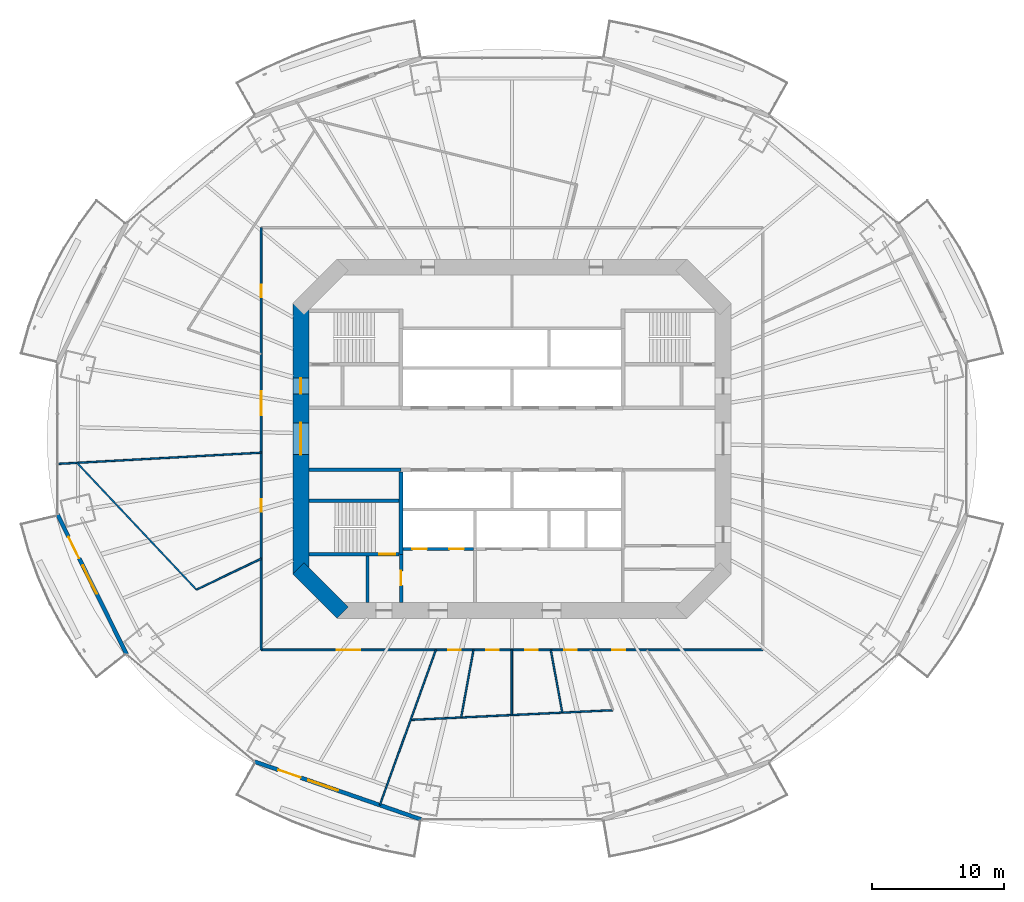
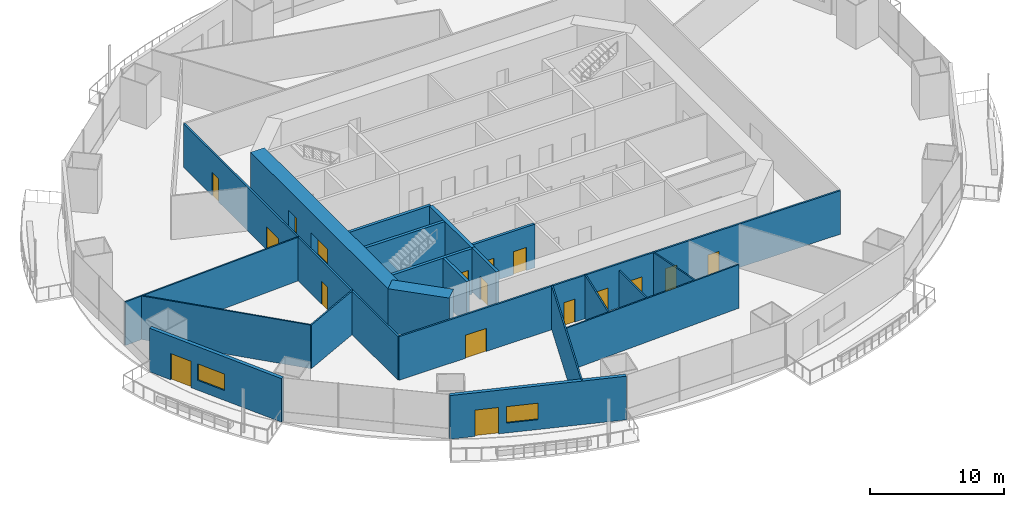
# One storey, part 13 of 22: 21 walls, 17 doors, 2 windows, 19 openings.
"""IFC4 building model written with IfcOpenShell, lengths in metres."""

import ifcopenshell
import ifcopenshell.guid

model = None  # the IFC model being written
_history = None  # IfcOwnerHistory: only IFC2X3 demands one
_inside = {}  # id of a spatial element -> (the spatial element, [elements in it])
_under = {}  # id of a project, library or spatial element -> (it, [spatial elements below it])
_declared = {}  # id of a project -> (the project, [libraries it declares])
_typed = {}  # id of a type object -> (the type object, [elements of that type])
_made_of = {}  # id of a material, layer set ... -> (it, [elements and type objects made of it])


def new_model(schema):
    """Start an empty IFC model of exactly this schema.

    Asked for "IFC4X3", IfcOpenShell would pick the latest addendum, in which some entities
    have other attributes; the version numbers below select the first issue.
    IFC2X3 requires an IfcOwnerHistory on every rooted entity: one is made here for all.
    """
    global model, _history
    if schema == "IFC4X3":
        model = ifcopenshell.file(schema_version=(4, 3, 0, 0))
    else:
        model = ifcopenshell.file(schema=schema)
    _inside.clear()
    _under.clear()
    _declared.clear()
    _typed.clear()
    _made_of.clear()
    _history = None
    if model.schema == "IFC2X3":
        org = make("IfcOrganization", Name="unknown")
        user = make(
            "IfcPersonAndOrganization",
            ThePerson=make("IfcPerson", FamilyName="unknown"),
            TheOrganization=org,
        )
        app = make(
            "IfcApplication",
            ApplicationDeveloper=org,
            Version="unknown",
            ApplicationFullName="unknown",
            ApplicationIdentifier="unknown",
        )
        _history = make(
            "IfcOwnerHistory",
            OwningUser=user,
            OwningApplication=app,
            ChangeAction="ADDED",
            CreationDate=0,
        )
    return model


def make(cls, **values):
    """One entity of the class cls with the attributes given. An attribute that is None is left unset."""
    return model.create_entity(
        cls, **{name: value for name, value in values.items() if value is not None}
    )


def rooted(cls, **values):
    """An entity with a GlobalId (a new one), such as an element, a storey or a relation."""
    return make(cls, GlobalId=ifcopenshell.guid.new(), OwnerHistory=_history, **values)


def si_unit(unit_type, name, prefix=None):
    """IfcSIUnit, for example si_unit("LENGTHUNIT", "METRE", prefix="MILLI")."""
    return make("IfcSIUnit", UnitType=unit_type, Prefix=prefix, Name=name)


def assignment(units):
    """IfcUnitAssignment: the units of a project."""
    return None if units is None else make("IfcUnitAssignment", Units=units)


def point(xyz):
    """IfcCartesianPoint."""
    return None if xyz is None else make("IfcCartesianPoint", Coordinates=xyz)


def direction(xyz):
    """IfcDirection."""
    return None if xyz is None else make("IfcDirection", DirectionRatios=xyz)


def frame(location, z_axis=None, x_axis=None):
    """IfcAxis2Placement3D, a coordinate frame: its origin and axes. An axis left out is left unset."""
    return make(
        "IfcAxis2Placement3D",
        Location=point(location),
        Axis=direction(z_axis),
        RefDirection=direction(x_axis),
    )


def frame_2d(location, x_axis=None):
    """IfcAxis2Placement2D, a coordinate frame in the plane: its origin and x axis."""
    return make(
        "IfcAxis2Placement2D", Location=point(location), RefDirection=direction(x_axis)
    )


def origin():
    """The frame at (0, 0, 0) with its axes left unset."""
    return frame((0.0, 0.0, 0.0))


def place(relative_to, where):
    """IfcLocalPlacement: puts the frame where relative to a parent placement (None: the world)."""
    return make(
        "IfcLocalPlacement", PlacementRelTo=relative_to, RelativePlacement=where
    )


def context(
    kind, dimensions, precision=None, world=None, true_north=None, identifier=None
):
    """IfcGeometricRepresentationContext, for example the 3D "Model" context."""
    return make(
        "IfcGeometricRepresentationContext",
        ContextIdentifier=identifier,
        ContextType=kind,
        CoordinateSpaceDimension=dimensions,
        Precision=precision,
        WorldCoordinateSystem=world,
        TrueNorth=true_north,
    )


def subcontext(parent, identifier, kind, view, scale=None):
    """IfcGeometricRepresentationSubContext, for example "Body" below "Model"."""
    return make(
        "IfcGeometricRepresentationSubContext",
        ContextIdentifier=identifier,
        ContextType=kind,
        ParentContext=parent,
        TargetScale=scale,
        TargetView=view,
    )


def project(units=None, contexts=None):
    """IfcProject with its units and contexts."""
    return rooted(
        "IfcProject",
        Name="project",
        RepresentationContexts=contexts,
        UnitsInContext=assignment(units),
    )


def spatial(cls, under=None, at=None, **own):
    """A site, building, storey or space (cls), placed at a placement, below another one or the project."""
    s = rooted(cls, ObjectPlacement=at, **own)
    if under is not None:
        _under.setdefault(under.id(), (under, []))[1].append(s)
    return s


def profile(cls, at=None, kind="AREA", **sizes):
    """A parametric profile (cls). Its sizes go by their IFC names, for example OverallWidth=200.0."""
    return make(cls, ProfileType=kind, Position=at, **sizes)


def rectangle(**sizes):
    """IfcRectangleProfileDef."""
    return profile("IfcRectangleProfileDef", **sizes)


def extrude(swept, where, along, depth):
    """IfcExtrudedAreaSolid: the profile swept, set in the frame where, extruded along a direction by depth."""
    return make(
        "IfcExtrudedAreaSolid",
        SweptArea=swept,
        Position=where,
        ExtrudedDirection=direction(along),
        Depth=depth,
    )


def shape(context_of_items, identifier, shape_type, items):
    """IfcShapeRepresentation: the items that make up one representation, for example the "Body"."""
    return make(
        "IfcShapeRepresentation",
        ContextOfItems=context_of_items,
        RepresentationIdentifier=identifier,
        RepresentationType=shape_type,
        Items=items,
    )


def material(Name=None, Category=None):
    """IfcMaterial."""
    return make("IfcMaterial", Name=Name, Category=Category)


def layer(
    of_material, thickness, ventilated=None, Name=None, Category=None, Priority=None
):
    """IfcMaterialLayer: one layer of a wall or slab, of a material (None: an air gap)."""
    return make(
        "IfcMaterialLayer",
        Material=of_material,
        LayerThickness=thickness,
        IsVentilated=ventilated,
        Name=Name,
        Category=Category,
        Priority=Priority,
    )


def layer_set(layers, Name=None):
    """IfcMaterialLayerSet."""
    return make("IfcMaterialLayerSet", MaterialLayers=layers, LayerSetName=Name)


def made_of(thing, what):
    """Note that an element or type object is made of a material, layer set ...; save() writes the relation."""
    if what is not None:
        _made_of.setdefault(what.id(), (what, []))[1].append(thing)
    return thing


def type_object(cls, material=None, **own):
    """A type object (cls), such as IfcWallType, which elements share."""
    return made_of(rooted(cls, **own), material)


def element(
    cls,
    number,
    at=None,
    inside=None,
    cuts=None,
    type_object=None,
    material=None,
    context=None,
    identifier="Body",
    shape_type=None,
    held_by="IfcProductDefinitionShape",
    body=None,
    shapes=None,
    **own,
):
    """One element of the class cls, such as IfcWall. Its Tag is "e" and its number.

    at: its placement. inside: the storey or other place that contains it. cuts: it is an
    opening in that element (IfcRelVoidsElement). A single representation is given by context,
    identifier, shape_type and body (its items); several are given by shapes. held_by: the class
    of the entity that holds the representations. save() writes the other relations.
    """
    e = rooted(cls, Tag="e%d" % number, ObjectPlacement=at, **own)
    if body is not None:
        shapes = [shape(context, identifier, shape_type, body)]
    if shapes is not None:
        e.Representation = make(held_by, Representations=shapes)
    if inside is not None:
        _inside.setdefault(inside.id(), (inside, []))[1].append(e)
    if cuts is not None:
        rooted(
            "IfcRelVoidsElement", RelatingBuildingElement=cuts, RelatedOpeningElement=e
        )
    if type_object is not None:
        _typed.setdefault(type_object.id(), (type_object, []))[1].append(e)
    return made_of(e, material)


def fill(opening, filler):
    """IfcRelFillsElement: the door or window that sits in an opening."""
    return rooted(
        "IfcRelFillsElement",
        RelatingOpeningElement=opening,
        RelatedBuildingElement=filler,
    )


def aggregate(whole, parts):
    """IfcRelAggregates: a whole, such as a stair, and the parts it consists of."""
    return rooted("IfcRelAggregates", RelatingObject=whole, RelatedObjects=parts)


def save(model, path):
    """Write the relations noted so far, then the file.

    IfcRelAggregates (storeys below a building ...), IfcRelContainedInSpatialStructure (elements
    in a storey), IfcRelDefinesByType, IfcRelAssociatesMaterial and IfcRelDeclares: one each for
    every whole, place, type object, material and project.
    """
    for whole, parts in _under.values():
        aggregate(whole, parts)
    for where, things in _inside.values():
        rooted(
            "IfcRelContainedInSpatialStructure",
            RelatedElements=things,
            RelatingStructure=where,
        )
    for kind, things in _typed.values():
        rooted("IfcRelDefinesByType", RelatedObjects=things, RelatingType=kind)
    for what, things in _made_of.values():
        rooted("IfcRelAssociatesMaterial", RelatedObjects=things, RelatingMaterial=what)
    for by, libraries in _declared.values():
        rooted("IfcRelDeclares", RelatingContext=by, RelatedDefinitions=libraries)
    model.write(path)


model = new_model("IFC4")

# Units and contexts
model_context = context("Model", 3, precision=1e-05, world=origin(), true_north=direction((0.0, 1.0)))
body_context = subcontext(model_context, "Body", "Model", "MODEL_VIEW")
ifc_project = project(units=[si_unit("LENGTHUNIT", "METRE"), si_unit("AREAUNIT", "SQUARE_METRE"), si_unit("VOLUMEUNIT", "CUBIC_METRE"), si_unit("PLANEANGLEUNIT", "RADIAN"), si_unit("MASSUNIT", "GRAM", prefix="KILO")], contexts=[model_context])

# Site, building, storey
site_placement = place(None, origin())
site = spatial("IfcSite", under=ifc_project, at=site_placement, CompositionType="ELEMENT")
building_placement = place(site_placement, origin())
building = spatial("IfcBuilding", under=site, at=building_placement, Name="Marenthal Gate Tower", CompositionType="ELEMENT")
storey_placement = place(building_placement, frame((0.0, 0.0, 86.949951171875)))
storey = spatial("IfcBuildingStorey", under=building, at=storey_placement, Name="L17", CompositionType="ELEMENT", Elevation=86.949951171875)

# Wall, openings, doors
ifc_material_1 = material(Name="Concrete 60 MPa", Category="concrete")
ifc_layer_1 = layer(ifc_material_1, 1.199951171875)
ifc_layer_set_1 = layer_set([ifc_layer_1], Name="Core shear wall 1200")
wall_type_1 = type_object("IfcWallType", Name="Core shear wall 1200", PredefinedType="SHEAR", material=ifc_layer_set_1)
wall_1_placement = place(storey_placement, frame((-16.0, 10.24853515625, -0.179931640625), z_axis=(0.0, 0.0, 1.0), x_axis=(0.0, -1.0, 0.0)))
wall_1 = element("IfcWall", 1, at=wall_1_placement, inside=storey, type_object=wall_type_1, Name="Core wall 06", PredefinedType="SHEAR", context=body_context, shape_type="SweptSolid", body=[
    extrude(rectangle(XDim=20.4970703125, YDim=1.199951171875, at=frame_2d((10.24853515625, 0.0))), origin(), (0.0, 0.0, 1.0), 4.14990234375),
])
opening_1_placement = place(wall_1_placement, frame((9.048583984375, 0.0, 0.179931640625)))
opening_1 = element("IfcOpeningElement", 2, at=opening_1_placement, cuts=wall_1, Name="Opening D003.01", PredefinedType="OPENING", context=body_context, shape_type="SweptSolid", body=[
    extrude(rectangle(XDim=2.39990234375, YDim=2.10009765625, at=frame_2d((1.199951171875, 1.050048828125))), frame((0.0, 0.60986328125, 0.0), z_axis=(0.0, -1.0, 0.0), x_axis=(1.0, 0.0, 0.0)), (0.0, 0.0, 1.0), 1.219970703125),
])
opening_2_placement = place(wall_1_placement, frame((5.6484375, 0.0, 0.179931640625)))
opening_2 = element("IfcOpeningElement", 3, at=opening_2_placement, cuts=wall_1, Name="Opening D001.04", PredefinedType="OPENING", context=body_context, shape_type="SweptSolid", body=[
    extrude(rectangle(XDim=1.199951171875, YDim=2.10009765625, at=frame_2d((0.60009765625, 1.050048828125))), frame((0.0, 0.60986328125, 0.0), z_axis=(0.0, -1.0, 0.0), x_axis=(1.0, 0.0, 0.0)), (0.0, 0.0, 1.0), 1.219970703125),
])
ifc_material_2 = material(Name="Steel fire door", Category="steel")
door_type_1 = type_object("IfcDoorType", Name="Double fire door FD 45 2400 x 2100", OperationType="DOUBLE_DOOR_SINGLE_SWING", PredefinedType="DOOR", material=ifc_material_2)
door_1_placement = place(opening_1_placement, origin())
door_1 = element("IfcDoor", 4, at=door_1_placement, inside=storey, type_object=door_type_1, Name="Door D003.01", OperationType="DOUBLE_DOOR_SINGLE_SWING", OverallHeight=2.10009765625, OverallWidth=2.39990234375, PredefinedType="DOOR", context=body_context, shape_type="SweptSolid", body=[
    extrude(rectangle(XDim=2.39990234375, YDim=2.10009765625, at=frame_2d((1.199951171875, 1.050048828125))), frame((0.0, 0.02490234375, 0.0), z_axis=(0.0, -1.0, 0.0), x_axis=(1.0, 0.0, 0.0)), (0.0, 0.0, 1.0), 0.050048828125),
])
fill(opening_1, door_1)
ifc_material_3 = material(Name="Steel fire door", Category="steel")
door_type_2 = type_object("IfcDoorType", Name="Fire door FD 90 1200 x 2100", OperationType="NOTDEFINED", PredefinedType="DOOR", material=ifc_material_3)
door_2_placement = place(opening_2_placement, origin())
door_2 = element("IfcDoor", 5, at=door_2_placement, inside=storey, type_object=door_type_2, Name="Door D001.04", OperationType="SINGLE_SWING_RIGHT", OverallHeight=2.10009765625, OverallWidth=1.199951171875, PredefinedType="DOOR", context=body_context, shape_type="SweptSolid", body=[
    extrude(rectangle(XDim=1.199951171875, YDim=2.10009765625, at=frame_2d((0.60009765625, 1.050048828125))), frame((0.0, 0.02490234375, 0.0), z_axis=(0.0, -1.0, 0.0), x_axis=(1.0, 0.0, 0.0)), (0.0, 0.0, 1.0), 0.050048828125),
])
fill(opening_2, door_2)

# Walls
wall_2_placement = place(storey_placement, frame((-16.17578125, -9.82421875, -0.179931640625), z_axis=(0.0, 0.0, 1.0), x_axis=(0.707106781187, -0.707106781187, 0.0)))
element("IfcWall", 6, at=wall_2_placement, inside=storey, type_object=wall_type_1, Name="Core wall 07", PredefinedType="SHEAR", context=body_context, shape_type="SweptSolid", body=[
    extrude(rectangle(XDim=4.73974609375, YDim=1.199951171875, at=frame_2d((2.369873046875, 0.0))), origin(), (0.0, 0.0, 1.0), 4.14990234375),
])
ifc_material_4 = material(Name="Concrete 50 MPa", Category="concrete")
ifc_layer_2 = layer(ifc_material_4, 0.300048828125)
ifc_layer_set_2 = layer_set([ifc_layer_2], Name="Hoistway shear wall 300")
wall_type_2 = type_object("IfcWallType", Name="Hoistway shear wall 300", PredefinedType="SHEAR", material=ifc_layer_set_2)
wall_3_placement = place(storey_placement, frame((-8.39990234375, -8.75, -0.179931640625), z_axis=(0.0, 0.0, 1.0), x_axis=(0.0, 1.0, 0.0)))
element("IfcWall", 7, at=wall_3_placement, inside=storey, type_object=wall_type_2, Name="Hoistway wall 31", PredefinedType="SHEAR", context=body_context, shape_type="SweptSolid", body=[
    extrude(rectangle(XDim=6.25, YDim=0.300048828125, at=frame_2d((3.125, 0.0))), origin(), (0.0, 0.0, 1.0), 4.14990234375),
])

# Wall, openings, doors
ifc_material_5 = material(Name="Concrete 40 MPa", Category="concrete")
ifc_layer_3 = layer(ifc_material_5, 0.219970703125)
ifc_layer_set_3 = layer_set([ifc_layer_3], Name="Hoistway wall 220")
wall_type_3 = type_object("IfcWallType", Name="Hoistway wall 220", PredefinedType="STANDARD", material=ifc_layer_set_3)
wall_4_placement = place(storey_placement, frame((-8.25, -8.35009765625, 0.0), z_axis=(0.0, 0.0, 1.0), x_axis=(1.0, 0.0, 0.0)))
wall_4 = element("IfcWall", 8, at=wall_4_placement, inside=storey, type_object=wall_type_3, Name="Hoistway wall 11", PredefinedType="STANDARD", context=body_context, shape_type="SweptSolid", body=[
    extrude(rectangle(XDim=5.340087890625, YDim=0.219970703125, at=frame_2d((2.669921875, 0.0))), origin(), (0.0, 0.0, 1.0), 3.969970703125),
])
opening_3_placement = place(wall_4_placement, frame((0.699951171875, 0.0, 0.0)))
opening_3 = element("IfcOpeningElement", 9, at=opening_3_placement, cuts=wall_4, Name="Opening LD-LF1", PredefinedType="OPENING", context=body_context, shape_type="SweptSolid", body=[
    extrude(rectangle(XDim=1.10009765625, YDim=2.10009765625, at=frame_2d((0.550048828125, 1.050048828125))), frame((0.0, 0.1201171875, 0.0), z_axis=(0.0, -1.0, 0.0), x_axis=(1.0, 0.0, 0.0)), (0.0, 0.0, 1.0), 0.239990234375),
])
opening_4_placement = place(wall_4_placement, frame((3.5, 0.0, 0.0)))
opening_4 = element("IfcOpeningElement", 10, at=opening_4_placement, cuts=wall_4, Name="Opening LD-LF2", PredefinedType="OPENING", context=body_context, shape_type="SweptSolid", body=[
    extrude(rectangle(XDim=1.10009765625, YDim=2.10009765625, at=frame_2d((0.550048828125, 1.050048828125))), frame((0.0, 0.1201171875, 0.0), z_axis=(0.0, -1.0, 0.0), x_axis=(1.0, 0.0, 0.0)), (0.0, 0.0, 1.0), 0.239990234375),
])
ifc_material_6 = material(Name="Stainless steel sliding door", Category="steel")
door_type_3 = type_object("IfcDoorType", Name="Lift landing door FD 90 1100 x 2100", OperationType="DOUBLE_DOOR_SLIDING", PredefinedType="DOOR", material=ifc_material_6)
door_3_placement = place(opening_3_placement, origin())
door_3 = element("IfcDoor", 11, at=door_3_placement, inside=storey, type_object=door_type_3, Name="Lift landing door LF1", OperationType="DOUBLE_DOOR_SLIDING", OverallHeight=2.10009765625, OverallWidth=1.10009765625, PredefinedType="DOOR", context=body_context, shape_type="SweptSolid", body=[
    extrude(rectangle(XDim=1.10009765625, YDim=2.10009765625, at=frame_2d((0.550048828125, 1.050048828125))), frame((0.0, 0.02490234375, 0.0), z_axis=(0.0, -1.0, 0.0), x_axis=(1.0, 0.0, 0.0)), (0.0, 0.0, 1.0), 0.050048828125),
])
fill(opening_3, door_3)
door_4_placement = place(opening_4_placement, origin())
door_4 = element("IfcDoor", 12, at=door_4_placement, inside=storey, type_object=door_type_3, Name="Lift landing door LF2", OperationType="DOUBLE_DOOR_SLIDING", OverallHeight=2.10009765625, OverallWidth=1.10009765625, PredefinedType="DOOR", context=body_context, shape_type="SweptSolid", body=[
    extrude(rectangle(XDim=1.10009765625, YDim=2.10009765625, at=frame_2d((0.550048828125, 1.050048828125))), frame((0.0, 0.02490234375, 0.0), z_axis=(0.0, -1.0, 0.0), x_axis=(1.0, 0.0, 0.0)), (0.0, 0.0, 1.0), 0.050048828125),
])
fill(opening_4, door_4)

# Walls
ifc_material_7 = material(Name="Gypsum board on steel studs", Category="steel")
ifc_layer_4 = layer(ifc_material_7, 0.1201171875)
ifc_layer_set_4 = layer_set([ifc_layer_4], Name="Partition 120")
wall_type_4 = type_object("IfcWallType", Name="Partition 120", PredefinedType="PARTITIONING", material=ifc_layer_set_4)
wall_5_placement = place(storey_placement, frame((-32.956787109375, -1.8212890625, 0.0), z_axis=(0.0, 0.0, 1.0), x_axis=(0.685404519596, -0.728162512436, 0.0)))
element("IfcWall", 13, at=wall_5_placement, inside=storey, type_object=wall_type_4, Name="Partition wall 47", PredefinedType="PARTITIONING", context=body_context, shape_type="SweptSolid", body=[
    extrude(rectangle(XDim=13.1953125, YDim=0.1201171875, at=frame_2d((6.59765625, 0.0))), origin(), (0.0, 0.0, 1.0), 3.969970703125),
])
wall_6_placement = place(storey_placement, frame((-23.91259765625, -11.4296875, 0.0), z_axis=(0.0, 0.0, 1.0), x_axis=(0.902248770513, 0.431215904285, 0.0)))
element("IfcWall", 14, at=wall_6_placement, inside=storey, type_object=wall_type_4, Name="Partition wall 49", PredefinedType="PARTITIONING", context=body_context, shape_type="SweptSolid", body=[
    extrude(rectangle(XDim=5.44482421875, YDim=0.1201171875, at=frame_2d((2.722412109375, 0.0))), origin(), (0.0, 0.0, 1.0), 3.969970703125),
])
wall_7_placement = place(storey_placement, frame((-19.0, -1.050048828125, 0.0), z_axis=(0.0, 0.0, 1.0), x_axis=(-0.998476588054, -0.055177016127, 0.0)))
element("IfcWall", 15, at=wall_7_placement, inside=storey, type_object=wall_type_4, Name="Partition wall 51", PredefinedType="PARTITIONING", context=body_context, shape_type="SweptSolid", body=[
    extrude(rectangle(XDim=15.459716796875, YDim=0.1201171875, at=frame_2d((7.72998046875, 0.0))), origin(), (0.0, 0.0, 1.0), 3.969970703125),
])
wall_8_placement = place(storey_placement, frame((-7.68408203125, -21.299072265625, 0.0), z_axis=(0.0, 0.0, 1.0), x_axis=(0.998854128079, 0.04785844564, 0.0)))
element("IfcWall", 16, at=wall_8_placement, inside=storey, type_object=wall_type_4, Name="Partition wall 55", PredefinedType="PARTITIONING", context=body_context, shape_type="SweptSolid", body=[
    extrude(rectangle(XDim=15.3447265625, YDim=0.1201171875, at=frame_2d((7.67236328125, 0.0))), origin(), (0.0, 0.0, 1.0), 3.969970703125),
])
wall_9_placement = place(storey_placement, frame((-5.7724609375, -16.0, 0.0), z_axis=(0.0, 0.0, 1.0), x_axis=(-0.339354475961, -0.940658566987, 0.0)))
element("IfcWall", 17, at=wall_9_placement, inside=storey, type_object=wall_type_4, Name="Partition wall 56", PredefinedType="PARTITIONING", context=body_context, shape_type="SweptSolid", body=[
    extrude(rectangle(XDim=12.496337890625, YDim=0.1201171875, at=frame_2d((6.248046875, 0.0))), origin(), (0.0, 0.0, 1.0), 3.969970703125),
])
wall_10_placement = place(storey_placement, frame((-3.852294921875, -21.115478515625, 0.0), z_axis=(0.0, 0.0, 1.0), x_axis=(0.179447320467, 0.983767583923, 0.0)))
element("IfcWall", 18, at=wall_10_placement, inside=storey, type_object=wall_type_4, Name="Partition wall 57", PredefinedType="PARTITIONING", context=body_context, shape_type="SweptSolid", body=[
    extrude(rectangle(XDim=5.199951171875, YDim=0.1201171875, at=frame_2d((2.60009765625, 0.0))), origin(), (0.0, 0.0, 1.0), 3.969970703125),
])
wall_11_placement = place(storey_placement, frame((-0.0205078125, -20.931884765625, 0.0), z_axis=(0.0, 0.0, 1.0), x_axis=(0.000940547082, 0.999999557685, 0.0)))
element("IfcWall", 19, at=wall_11_placement, inside=storey, type_object=wall_type_4, Name="Partition wall 58", PredefinedType="PARTITIONING", context=body_context, shape_type="SweptSolid", body=[
    extrude(rectangle(XDim=4.931884765625, YDim=0.1201171875, at=frame_2d((2.4658203125, 0.0))), origin(), (0.0, 0.0, 1.0), 3.358154296875),
])
wall_12_placement = place(storey_placement, frame((3.811279296875, -20.748291015625, 0.0), z_axis=(0.0, 0.0, 1.0), x_axis=(-0.180687461344, 0.983540564142, 0.0)))
element("IfcWall", 20, at=wall_12_placement, inside=storey, type_object=wall_type_4, Name="Partition wall 59", PredefinedType="PARTITIONING", context=body_context, shape_type="SweptSolid", body=[
    extrude(rectangle(XDim=4.82763671875, YDim=0.1201171875, at=frame_2d((2.413818359375, 0.0))), origin(), (0.0, 0.0, 1.0), 3.969970703125),
])

# Wall, openings, doors
ifc_material_8 = material(Name="Gypsum board on steel studs", Category="steel")
ifc_layer_5 = layer(ifc_material_8, 0.14990234375)
ifc_layer_set_5 = layer_set([ifc_layer_5], Name="Partition 150")
wall_type_5 = type_object("IfcWallType", Name="Partition 150", PredefinedType="PARTITIONING", material=ifc_layer_set_5)
wall_13_placement = place(storey_placement, frame((-19.0, -16.0, 0.0), z_axis=(0.0, 0.0, 1.0), x_axis=(0.0, 1.0, 0.0)))
wall_13 = element("IfcWall", 21, at=wall_13_placement, inside=storey, type_object=wall_type_5, Name="Partition wall 50", PredefinedType="PARTITIONING", context=body_context, shape_type="SweptSolid", body=[
    extrude(rectangle(XDim=32.0, YDim=0.14990234375, at=frame_2d((16.0, 0.0))), origin(), (0.0, 0.0, 1.0), 3.969970703125),
])
opening_5_placement = place(wall_13_placement, frame((26.735107421875, 0.0, 0.0)))
opening_5 = element("IfcOpeningElement", 22, at=opening_5_placement, cuts=wall_13, Name="Opening D016.02", PredefinedType="OPENING", context=body_context, shape_type="SweptSolid", body=[
    extrude(rectangle(XDim=0.949951171875, YDim=2.10009765625, at=frame_2d((0.47509765625, 1.050048828125))), frame((0.0, 0.0849609375, 0.0), z_axis=(0.0, -1.0, 0.0), x_axis=(1.0, 0.0, 0.0)), (0.0, 0.0, 1.0), 0.169921875),
])
opening_6_placement = place(wall_13_placement, frame((17.784912109375, 0.0, 0.0)))
opening_6 = element("IfcOpeningElement", 23, at=opening_6_placement, cuts=wall_13, Name="Opening D014.02", PredefinedType="OPENING", context=body_context, shape_type="SweptSolid", body=[
    extrude(rectangle(XDim=1.800048828125, YDim=2.10009765625, at=frame_2d((0.89990234375, 1.050048828125))), frame((0.0, 0.0849609375, 0.0), z_axis=(0.0, -1.0, 0.0), x_axis=(1.0, 0.0, 0.0)), (0.0, 0.0, 1.0), 0.169921875),
])
opening_7_placement = place(wall_13_placement, frame((10.458984375, 0.0, 0.0)))
opening_7 = element("IfcOpeningElement", 24, at=opening_7_placement, cuts=wall_13, Name="Opening D016.03", PredefinedType="OPENING", context=body_context, shape_type="SweptSolid", body=[
    extrude(rectangle(XDim=0.949951171875, YDim=2.10009765625, at=frame_2d((0.47509765625, 1.050048828125))), frame((0.0, 0.0849609375, 0.0), z_axis=(0.0, -1.0, 0.0), x_axis=(1.0, 0.0, 0.0)), (0.0, 0.0, 1.0), 0.169921875),
])
ifc_material_9 = material(Name="Timber door", Category="wood")
door_type_4 = type_object("IfcDoorType", Name="Door 950 x 2100", OperationType="NOTDEFINED", PredefinedType="DOOR", material=ifc_material_9)
door_5_placement = place(opening_5_placement, origin())
door_5 = element("IfcDoor", 25, at=door_5_placement, inside=storey, type_object=door_type_4, Name="Door D016.02", OperationType="SINGLE_SWING_RIGHT", OverallHeight=2.10009765625, OverallWidth=0.949951171875, PredefinedType="DOOR", context=body_context, shape_type="SweptSolid", body=[
    extrude(rectangle(XDim=0.949951171875, YDim=2.10009765625, at=frame_2d((0.47509765625, 1.050048828125))), frame((0.0, 0.02490234375, 0.0), z_axis=(0.0, -1.0, 0.0), x_axis=(1.0, 0.0, 0.0)), (0.0, 0.0, 1.0), 0.050048828125),
])
fill(opening_5, door_5)
door_6_placement = place(opening_7_placement, origin())
door_6 = element("IfcDoor", 26, at=door_6_placement, inside=storey, type_object=door_type_4, Name="Door D016.03", OperationType="SINGLE_SWING_RIGHT", OverallHeight=2.10009765625, OverallWidth=0.949951171875, PredefinedType="DOOR", context=body_context, shape_type="SweptSolid", body=[
    extrude(rectangle(XDim=0.949951171875, YDim=2.10009765625, at=frame_2d((0.47509765625, 1.050048828125))), frame((0.0, 0.02490234375, 0.0), z_axis=(0.0, -1.0, 0.0), x_axis=(1.0, 0.0, 0.0)), (0.0, 0.0, 1.0), 0.050048828125),
])
fill(opening_7, door_6)
ifc_material_10 = material(Name="Timber door", Category="wood")
door_type_5 = type_object("IfcDoorType", Name="Double door 1800 x 2100", OperationType="DOUBLE_DOOR_SINGLE_SWING", PredefinedType="DOOR", material=ifc_material_10)
door_7_placement = place(opening_6_placement, origin())
door_7 = element("IfcDoor", 27, at=door_7_placement, inside=storey, type_object=door_type_5, Name="Door D014.02", OperationType="DOUBLE_DOOR_SINGLE_SWING", OverallHeight=2.10009765625, OverallWidth=1.800048828125, PredefinedType="DOOR", context=body_context, shape_type="SweptSolid", body=[
    extrude(rectangle(XDim=1.800048828125, YDim=2.10009765625, at=frame_2d((0.89990234375, 1.050048828125))), frame((0.0, 0.02490234375, 0.0), z_axis=(0.0, -1.0, 0.0), x_axis=(1.0, 0.0, 0.0)), (0.0, 0.0, 1.0), 0.050048828125),
])
fill(opening_6, door_7)

wall_14_placement = place(storey_placement, frame((19.0, -16.0, 0.0), z_axis=(0.0, 0.0, 1.0), x_axis=(-1.0, 0.0, 0.0)))
wall_14 = element("IfcWall", 28, at=wall_14_placement, inside=storey, type_object=wall_type_5, Name="Partition wall 64", PredefinedType="PARTITIONING", context=body_context, shape_type="SweptSolid", body=[
    extrude(rectangle(XDim=38.0, YDim=0.14990234375, at=frame_2d((19.0, 0.0))), origin(), (0.0, 0.0, 1.0), 3.969970703125),
])
opening_8_placement = place(wall_14_placement, frame((30.486083984375, 0.0, 0.0)))
opening_8 = element("IfcOpeningElement", 29, at=opening_8_placement, cuts=wall_14, Name="Opening D014.03", PredefinedType="OPENING", context=body_context, shape_type="SweptSolid", body=[
    extrude(rectangle(XDim=1.800048828125, YDim=2.10009765625, at=frame_2d((0.89990234375, 1.050048828125))), frame((0.0, 0.0849609375, 0.0), z_axis=(0.0, -1.0, 0.0), x_axis=(1.0, 0.0, 0.0)), (0.0, 0.0, 1.0), 0.169921875),
])
opening_9_placement = place(wall_14_placement, frame((22.8701171875, 0.0, 0.0)))
opening_9 = element("IfcOpeningElement", 30, at=opening_9_placement, cuts=wall_14, Name="Opening D016.04", PredefinedType="OPENING", context=body_context, shape_type="SweptSolid", body=[
    extrude(rectangle(XDim=0.949951171875, YDim=2.10009765625, at=frame_2d((0.47509765625, 1.050048828125))), frame((0.0, 0.0849609375, 0.0), z_axis=(0.0, -1.0, 0.0), x_axis=(1.0, 0.0, 0.0)), (0.0, 0.0, 1.0), 0.169921875),
])
opening_10_placement = place(wall_14_placement, frame((19.991943359375, 0.0, 0.0)))
opening_10 = element("IfcOpeningElement", 31, at=opening_10_placement, cuts=wall_14, Name="Opening D016.05", PredefinedType="OPENING", context=body_context, shape_type="SweptSolid", body=[
    extrude(rectangle(XDim=0.949951171875, YDim=2.10009765625, at=frame_2d((0.47509765625, 1.050048828125))), frame((0.0, 0.0849609375, 0.0), z_axis=(0.0, -1.0, 0.0), x_axis=(1.0, 0.0, 0.0)), (0.0, 0.0, 1.0), 0.169921875),
])
opening_11_placement = place(wall_14_placement, frame((17.06298828125, 0.0, 0.0)))
opening_11 = element("IfcOpeningElement", 32, at=opening_11_placement, cuts=wall_14, Name="Opening D016.06", PredefinedType="OPENING", context=body_context, shape_type="SweptSolid", body=[
    extrude(rectangle(XDim=0.949951171875, YDim=2.10009765625, at=frame_2d((0.47509765625, 1.050048828125))), frame((0.0, 0.0849609375, 0.0), z_axis=(0.0, -1.0, 0.0), x_axis=(1.0, 0.0, 0.0)), (0.0, 0.0, 1.0), 0.169921875),
])
opening_12_placement = place(wall_14_placement, frame((14.08203125, 0.0, 0.0)))
opening_12 = element("IfcOpeningElement", 33, at=opening_12_placement, cuts=wall_14, Name="Opening D016.07", PredefinedType="OPENING", context=body_context, shape_type="SweptSolid", body=[
    extrude(rectangle(XDim=0.949951171875, YDim=2.10009765625, at=frame_2d((0.47509765625, 1.050048828125))), frame((0.0, 0.0849609375, 0.0), z_axis=(0.0, -1.0, 0.0), x_axis=(1.0, 0.0, 0.0)), (0.0, 0.0, 1.0), 0.169921875),
])
opening_13_placement = place(wall_14_placement, frame((10.43701171875, 0.0, 0.0)))
opening_13 = element("IfcOpeningElement", 34, at=opening_13_placement, cuts=wall_14, Name="Opening D016.08", PredefinedType="OPENING", context=body_context, shape_type="SweptSolid", body=[
    extrude(rectangle(XDim=0.949951171875, YDim=2.10009765625, at=frame_2d((0.47509765625, 1.050048828125))), frame((0.0, 0.0849609375, 0.0), z_axis=(0.0, -1.0, 0.0), x_axis=(1.0, 0.0, 0.0)), (0.0, 0.0, 1.0), 0.169921875),
])
door_8_placement = place(opening_9_placement, origin())
door_8 = element("IfcDoor", 35, at=door_8_placement, inside=storey, type_object=door_type_4, Name="Door D016.04", OperationType="SINGLE_SWING_RIGHT", OverallHeight=2.10009765625, OverallWidth=0.949951171875, PredefinedType="DOOR", context=body_context, shape_type="SweptSolid", body=[
    extrude(rectangle(XDim=0.949951171875, YDim=2.10009765625, at=frame_2d((0.47509765625, 1.050048828125))), frame((0.0, 0.02490234375, 0.0), z_axis=(0.0, -1.0, 0.0), x_axis=(1.0, 0.0, 0.0)), (0.0, 0.0, 1.0), 0.050048828125),
])
fill(opening_9, door_8)
door_9_placement = place(opening_10_placement, origin())
door_9 = element("IfcDoor", 36, at=door_9_placement, inside=storey, type_object=door_type_4, Name="Door D016.05", OperationType="SINGLE_SWING_RIGHT", OverallHeight=2.10009765625, OverallWidth=0.949951171875, PredefinedType="DOOR", context=body_context, shape_type="SweptSolid", body=[
    extrude(rectangle(XDim=0.949951171875, YDim=2.10009765625, at=frame_2d((0.47509765625, 1.050048828125))), frame((0.0, 0.02490234375, 0.0), z_axis=(0.0, -1.0, 0.0), x_axis=(1.0, 0.0, 0.0)), (0.0, 0.0, 1.0), 0.050048828125),
])
fill(opening_10, door_9)
door_10_placement = place(opening_11_placement, origin())
door_10 = element("IfcDoor", 37, at=door_10_placement, inside=storey, type_object=door_type_4, Name="Door D016.06", OperationType="SINGLE_SWING_RIGHT", OverallHeight=2.10009765625, OverallWidth=0.949951171875, PredefinedType="DOOR", context=body_context, shape_type="SweptSolid", body=[
    extrude(rectangle(XDim=0.949951171875, YDim=2.10009765625, at=frame_2d((0.47509765625, 1.050048828125))), frame((0.0, 0.02490234375, 0.0), z_axis=(0.0, -1.0, 0.0), x_axis=(1.0, 0.0, 0.0)), (0.0, 0.0, 1.0), 0.050048828125),
])
fill(opening_11, door_10)
door_11_placement = place(opening_12_placement, origin())
door_11 = element("IfcDoor", 38, at=door_11_placement, inside=storey, type_object=door_type_4, Name="Door D016.07", OperationType="SINGLE_SWING_RIGHT", OverallHeight=2.10009765625, OverallWidth=0.949951171875, PredefinedType="DOOR", context=body_context, shape_type="SweptSolid", body=[
    extrude(rectangle(XDim=0.949951171875, YDim=2.10009765625, at=frame_2d((0.47509765625, 1.050048828125))), frame((0.0, 0.02490234375, 0.0), z_axis=(0.0, -1.0, 0.0), x_axis=(1.0, 0.0, 0.0)), (0.0, 0.0, 1.0), 0.050048828125),
])
fill(opening_12, door_11)
door_12_placement = place(opening_13_placement, origin())
door_12 = element("IfcDoor", 39, at=door_12_placement, inside=storey, type_object=door_type_4, Name="Door D016.08", OperationType="SINGLE_SWING_RIGHT", OverallHeight=2.10009765625, OverallWidth=0.949951171875, PredefinedType="DOOR", context=body_context, shape_type="SweptSolid", body=[
    extrude(rectangle(XDim=0.949951171875, YDim=2.10009765625, at=frame_2d((0.47509765625, 1.050048828125))), frame((0.0, 0.02490234375, 0.0), z_axis=(0.0, -1.0, 0.0), x_axis=(1.0, 0.0, 0.0)), (0.0, 0.0, 1.0), 0.050048828125),
])
fill(opening_13, door_12)
door_13_placement = place(opening_8_placement, origin())
door_13 = element("IfcDoor", 40, at=door_13_placement, inside=storey, type_object=door_type_5, Name="Door D014.03", OperationType="DOUBLE_DOOR_SINGLE_SWING", OverallHeight=2.10009765625, OverallWidth=1.800048828125, PredefinedType="DOOR", context=body_context, shape_type="SweptSolid", body=[
    extrude(rectangle(XDim=1.800048828125, YDim=2.10009765625, at=frame_2d((0.89990234375, 1.050048828125))), frame((0.0, 0.02490234375, 0.0), z_axis=(0.0, -1.0, 0.0), x_axis=(1.0, 0.0, 0.0)), (0.0, 0.0, 1.0), 0.050048828125),
])
fill(opening_8, door_13)

# Walls
ifc_material_11 = material(Name="Concrete 40 MPa", Category="concrete")
ifc_layer_6 = layer(ifc_material_11, 0.25)
ifc_layer_set_6 = layer_set([ifc_layer_6], Name="Stair enclosure wall 250")
wall_type_6 = type_object("IfcWallType", Name="Stair enclosure wall 250", PredefinedType="STANDARD", material=ifc_layer_set_6)
wall_15_placement = place(storey_placement, frame((-15.39990234375, -2.35009765625, 0.0), z_axis=(0.0, 0.0, 1.0), x_axis=(1.0, 0.0, 0.0)))
element("IfcWall", 41, at=wall_15_placement, inside=storey, type_object=wall_type_6, Name="Stair wall 16", PredefinedType="STANDARD", context=body_context, shape_type="SweptSolid", body=[
    extrude(rectangle(XDim=7.0, YDim=0.25, at=frame_2d((3.5, 0.0))), origin(), (0.0, 0.0, 1.0), 3.969970703125),
])
wall_16_placement = place(storey_placement, frame((-10.949951171875, -12.39990234375, 0.0), z_axis=(0.0, 0.0, 1.0), x_axis=(0.0, 1.0, 0.0)))
element("IfcWall", 42, at=wall_16_placement, inside=storey, type_object=wall_type_6, Name="Stair wall 29", PredefinedType="STANDARD", context=body_context, shape_type="SweptSolid", body=[
    extrude(rectangle(XDim=3.52490234375, YDim=0.25, at=frame_2d((1.762451171875, 0.0))), origin(), (0.0, 0.0, 1.0), 3.969970703125),
])

# Wall, opening, door
wall_17_placement = place(storey_placement, frame((-8.39990234375, -12.39990234375, 0.0), z_axis=(0.0, 0.0, 1.0), x_axis=(0.0, 1.0, 0.0)))
wall_17 = element("IfcWall", 43, at=wall_17_placement, inside=storey, type_object=wall_type_6, Name="Stair wall 30", PredefinedType="STANDARD", context=body_context, shape_type="SweptSolid", body=[
    extrude(rectangle(XDim=3.64990234375, YDim=0.25, at=frame_2d((1.824951171875, 0.0))), origin(), (0.0, 0.0, 1.0), 3.969970703125),
])
opening_14_placement = place(wall_17_placement, frame((1.300048828125, 0.0, 0.0)))
opening_14 = element("IfcOpeningElement", 44, at=opening_14_placement, cuts=wall_17, Name="Opening D002.01", PredefinedType="OPENING", context=body_context, shape_type="SweptSolid", body=[
    extrude(rectangle(XDim=1.10009765625, YDim=2.10009765625, at=frame_2d((0.550048828125, 1.050048828125))), frame((0.0, 0.135009765625, 0.0), z_axis=(0.0, -1.0, 0.0), x_axis=(1.0, 0.0, 0.0)), (0.0, 0.0, 1.0), 0.27001953125),
])
ifc_material_12 = material(Name="Steel fire door", Category="steel")
door_type_6 = type_object("IfcDoorType", Name="Fire door FD 90 1100 x 2100", OperationType="NOTDEFINED", PredefinedType="DOOR", material=ifc_material_12)
door_14_placement = place(opening_14_placement, origin())
door_14 = element("IfcDoor", 45, at=door_14_placement, inside=storey, type_object=door_type_6, Name="Door D002.01", OperationType="SINGLE_SWING_RIGHT", OverallHeight=2.10009765625, OverallWidth=1.10009765625, PredefinedType="DOOR", context=body_context, shape_type="SweptSolid", body=[
    extrude(rectangle(XDim=1.10009765625, YDim=2.10009765625, at=frame_2d((0.550048828125, 1.050048828125))), frame((0.0, 0.02490234375, 0.0), z_axis=(0.0, -1.0, 0.0), x_axis=(1.0, 0.0, 0.0)), (0.0, 0.0, 1.0), 0.050048828125),
])
fill(opening_14, door_14)

ifc_material_13 = material(Name="Concrete 50 MPa", Category="concrete")
ifc_layer_7 = layer(ifc_material_13, 0.25)
ifc_layer_set_7 = layer_set([ifc_layer_7], Name="Stair shear wall 250")
wall_type_7 = type_object("IfcWallType", Name="Stair shear wall 250", PredefinedType="SHEAR", material=ifc_layer_set_7)
wall_18_placement = place(storey_placement, frame((-15.39990234375, -8.75, -0.179931640625), z_axis=(0.0, 0.0, 1.0), x_axis=(1.0, 0.0, 0.0)))
wall_18 = element("IfcWall", 46, at=wall_18_placement, inside=storey, type_object=wall_type_7, Name="Stair wall 10", PredefinedType="SHEAR", context=body_context, shape_type="SweptSolid", body=[
    extrude(rectangle(XDim=6.849853515625, YDim=0.25, at=frame_2d((3.4248046875, 0.0))), origin(), (0.0, 0.0, 1.0), 4.14990234375),
])
opening_15_placement = place(wall_18_placement, frame((5.35009765625, 0.0, 0.179931640625)))
opening_15 = element("IfcOpeningElement", 47, at=opening_15_placement, cuts=wall_18, Name="Opening D001.03", PredefinedType="OPENING", context=body_context, shape_type="SweptSolid", body=[
    extrude(rectangle(XDim=1.199951171875, YDim=2.10009765625, at=frame_2d((0.60009765625, 1.050048828125))), frame((0.0, 0.135009765625, 0.0), z_axis=(0.0, -1.0, 0.0), x_axis=(1.0, 0.0, 0.0)), (0.0, 0.0, 1.0), 0.27001953125),
])
door_15_placement = place(opening_15_placement, origin())
door_15 = element("IfcDoor", 48, at=door_15_placement, inside=storey, type_object=door_type_2, Name="Door D001.03", OperationType="SINGLE_SWING_RIGHT", OverallHeight=2.10009765625, OverallWidth=1.199951171875, PredefinedType="DOOR", context=body_context, shape_type="SweptSolid", body=[
    extrude(rectangle(XDim=1.199951171875, YDim=2.10009765625, at=frame_2d((0.60009765625, 1.050048828125))), frame((0.0, 0.02490234375, 0.0), z_axis=(0.0, -1.0, 0.0), x_axis=(1.0, 0.0, 0.0)), (0.0, 0.0, 1.0), 0.050048828125),
])
fill(opening_15, door_15)

# Wall
wall_19_placement = place(storey_placement, frame((-15.39990234375, -4.699951171875, -0.179931640625), z_axis=(0.0, 0.0, 1.0), x_axis=(1.0, 0.0, 0.0)))
element("IfcWall", 49, at=wall_19_placement, inside=storey, type_object=wall_type_7, Name="Stair wall 15", PredefinedType="SHEAR", context=body_context, shape_type="SweptSolid", body=[
    extrude(rectangle(XDim=6.849853515625, YDim=0.25, at=frame_2d((3.4248046875, 0.0))), origin(), (0.0, 0.0, 1.0), 4.14990234375),
])

# Wall, openings, door, window
ifc_material_14 = material(Name="Terracotta cladding on insulated concrete-block backing", Category="masonry")
ifc_layer_8 = layer(ifc_material_14, 0.300048828125)
ifc_layer_set_8 = layer_set([ifc_layer_8], Name="Terracotta facade wall 300")
wall_type_8 = type_object("IfcWallType", Name="Terracotta facade wall 300", PredefinedType="SOLIDWALL", material=ifc_layer_set_8)
wall_20_placement = place(storey_placement, frame((-34.436279296875, -5.7392578125, 0.0), z_axis=(0.0, 0.0, 1.0), x_axis=(0.443180520711, -0.896432387892, 0.0)))
wall_20 = element("IfcWall", 50, at=wall_20_placement, inside=storey, type_object=wall_type_8, Name="Terracotta facade wall L17 bay 9", PredefinedType="SOLIDWALL", context=body_context, shape_type="SweptSolid", body=[
    extrude(rectangle(XDim=11.82958984375, YDim=0.300048828125, at=frame_2d((5.914794921875, 0.0))), origin(), (0.0, 0.0, 1.0), 3.969970703125),
])
opening_16_placement = place(wall_20_placement, frame((1.89990234375, 0.0, 0.0)))
opening_16 = element("IfcOpeningElement", 51, at=opening_16_placement, cuts=wall_20, Name="Opening BD-L17-09", PredefinedType="OPENING", context=body_context, shape_type="SweptSolid", body=[
    extrude(rectangle(XDim=1.800048828125, YDim=2.39990234375, at=frame_2d((0.89990234375, 1.199951171875))), frame((0.0, 0.16015625, 0.0), z_axis=(0.0, -1.0, 0.0), x_axis=(1.0, 0.0, 0.0)), (0.0, 0.0, 1.0), 0.320068359375),
])
opening_17_placement = place(wall_20_placement, frame((4.300048828125, 0.0, 0.89990234375)))
opening_17 = element("IfcOpeningElement", 52, at=opening_17_placement, cuts=wall_20, Name="Opening WN1-L17-09", PredefinedType="OPENING", context=body_context, shape_type="SweptSolid", body=[
    extrude(rectangle(XDim=2.39990234375, YDim=1.5, at=frame_2d((1.199951171875, 0.75))), frame((0.0, 0.16015625, 0.0), z_axis=(0.0, -1.0, 0.0), x_axis=(1.0, 0.0, 0.0)), (0.0, 0.0, 1.0), 0.320068359375),
])
ifc_material_15 = material(Name="Aluminium and glass", Category="aluminium")
door_type_7 = type_object("IfcDoorType", Name="Balcony door 1800x2400", OperationType="DOUBLE_DOOR_SINGLE_SWING", PredefinedType="DOOR", material=ifc_material_15)
door_16_placement = place(opening_16_placement, origin())
door_16 = element("IfcDoor", 53, at=door_16_placement, inside=storey, type_object=door_type_7, Name="Balcony door L17 bay 9", OperationType="SINGLE_SWING_LEFT", OverallHeight=2.39990234375, OverallWidth=1.800048828125, PredefinedType="DOOR", context=body_context, shape_type="SweptSolid", body=[
    extrude(rectangle(XDim=1.800048828125, YDim=2.39990234375, at=frame_2d((0.89990234375, 1.199951171875))), frame((0.0, 0.02490234375, 0.0), z_axis=(0.0, -1.0, 0.0), x_axis=(1.0, 0.0, 0.0)), (0.0, 0.0, 1.0), 0.050048828125),
])
fill(opening_16, door_16)
ifc_material_16 = material(Name="Aluminium and glass", Category="aluminium")
window_type = type_object("IfcWindowType", Name="Window 2400x1500", PartitioningType="TRIPLE_PANEL_VERTICAL", PredefinedType="WINDOW", material=ifc_material_16)
window_1_placement = place(opening_17_placement, origin())
window_1 = element("IfcWindow", 54, at=window_1_placement, inside=storey, type_object=window_type, Name="Window L17 bay 9", OverallHeight=1.5, OverallWidth=2.39990234375, PartitioningType="SINGLE_PANEL", PredefinedType="WINDOW", context=body_context, shape_type="SweptSolid", body=[
    extrude(rectangle(XDim=2.39990234375, YDim=1.5, at=frame_2d((1.199951171875, 0.75))), frame((0.0, 0.030029296875, 0.0), z_axis=(0.0, -1.0, 0.0), x_axis=(1.0, 0.0, 0.0)), (0.0, 0.0, 1.0), 0.06005859375),
])
fill(opening_17, window_1)

wall_21_placement = place(storey_placement, frame((-19.506591796875, -24.460205078125, 0.0), z_axis=(0.0, 0.0, 1.0), x_axis=(0.944722748464, -0.327870292241, 0.0)))
wall_21 = element("IfcWall", 55, at=wall_21_placement, inside=storey, type_object=wall_type_8, Name="Terracotta facade wall L17 bay 11", PredefinedType="SOLIDWALL", context=body_context, shape_type="SweptSolid", body=[
    extrude(rectangle(XDim=13.397216796875, YDim=0.300048828125, at=frame_2d((6.69873046875, 0.0))), origin(), (0.0, 0.0, 1.0), 3.969970703125),
])
opening_18_placement = place(wall_21_placement, frame((1.89990234375, 0.0, 0.0)))
opening_18 = element("IfcOpeningElement", 56, at=opening_18_placement, cuts=wall_21, Name="Opening BD-L17-11", PredefinedType="OPENING", context=body_context, shape_type="SweptSolid", body=[
    extrude(rectangle(XDim=1.800048828125, YDim=2.39990234375, at=frame_2d((0.89990234375, 1.199951171875))), frame((0.0, 0.16015625, 0.0), z_axis=(0.0, -1.0, 0.0), x_axis=(1.0, 0.0, 0.0)), (0.0, 0.0, 1.0), 0.320068359375),
])
opening_19_placement = place(wall_21_placement, frame((4.300048828125, 0.0, 0.89990234375)))
opening_19 = element("IfcOpeningElement", 57, at=opening_19_placement, cuts=wall_21, Name="Opening WN1-L17-11", PredefinedType="OPENING", context=body_context, shape_type="SweptSolid", body=[
    extrude(rectangle(XDim=2.39990234375, YDim=1.5, at=frame_2d((1.199951171875, 0.75))), frame((0.0, 0.16015625, 0.0), z_axis=(0.0, -1.0, 0.0), x_axis=(1.0, 0.0, 0.0)), (0.0, 0.0, 1.0), 0.320068359375),
])
door_17_placement = place(opening_18_placement, origin())
door_17 = element("IfcDoor", 58, at=door_17_placement, inside=storey, type_object=door_type_7, Name="Balcony door L17 bay 11", OperationType="SINGLE_SWING_LEFT", OverallHeight=2.39990234375, OverallWidth=1.800048828125, PredefinedType="DOOR", context=body_context, shape_type="SweptSolid", body=[
    extrude(rectangle(XDim=1.800048828125, YDim=2.39990234375, at=frame_2d((0.89990234375, 1.199951171875))), frame((0.0, 0.02490234375, 0.0), z_axis=(0.0, -1.0, 0.0), x_axis=(1.0, 0.0, 0.0)), (0.0, 0.0, 1.0), 0.050048828125),
])
fill(opening_18, door_17)
window_2_placement = place(opening_19_placement, origin())
window_2 = element("IfcWindow", 59, at=window_2_placement, inside=storey, type_object=window_type, Name="Window L17 bay 11", OverallHeight=1.5, OverallWidth=2.39990234375, PartitioningType="SINGLE_PANEL", PredefinedType="WINDOW", context=body_context, shape_type="SweptSolid", body=[
    extrude(rectangle(XDim=2.39990234375, YDim=1.5, at=frame_2d((1.199951171875, 0.75))), frame((0.0, 0.030029296875, 0.0), z_axis=(0.0, -1.0, 0.0), x_axis=(1.0, 0.0, 0.0)), (0.0, 0.0, 1.0), 0.06005859375),
])
fill(opening_19, window_2)

save(model, "model.ifc")
